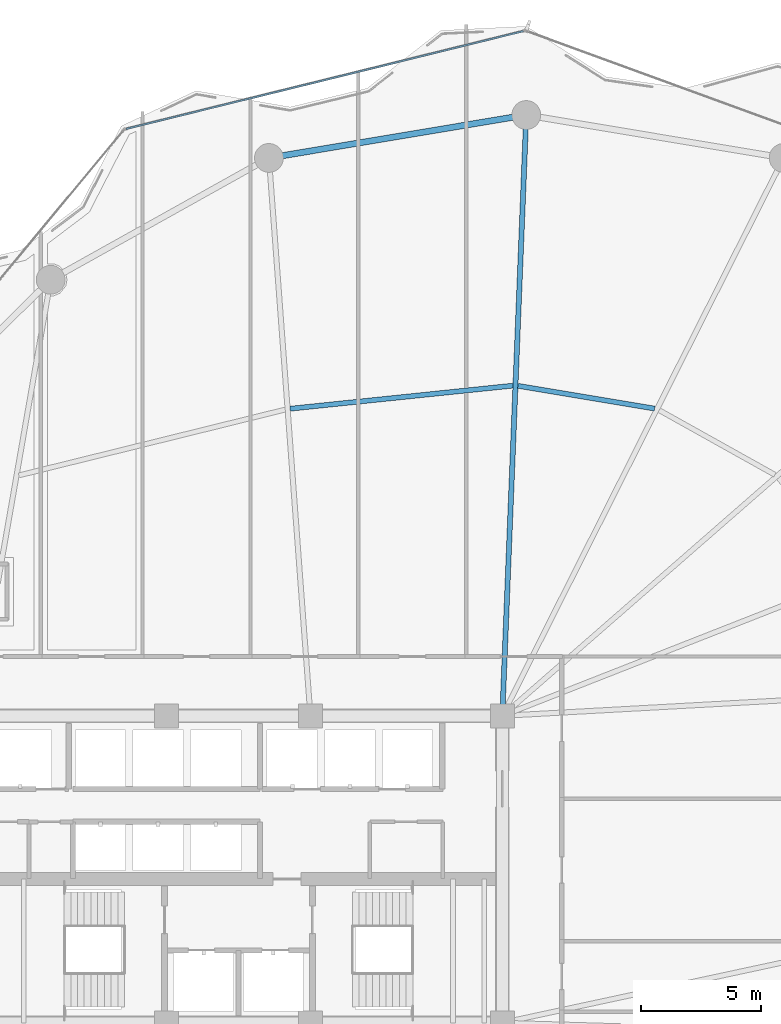
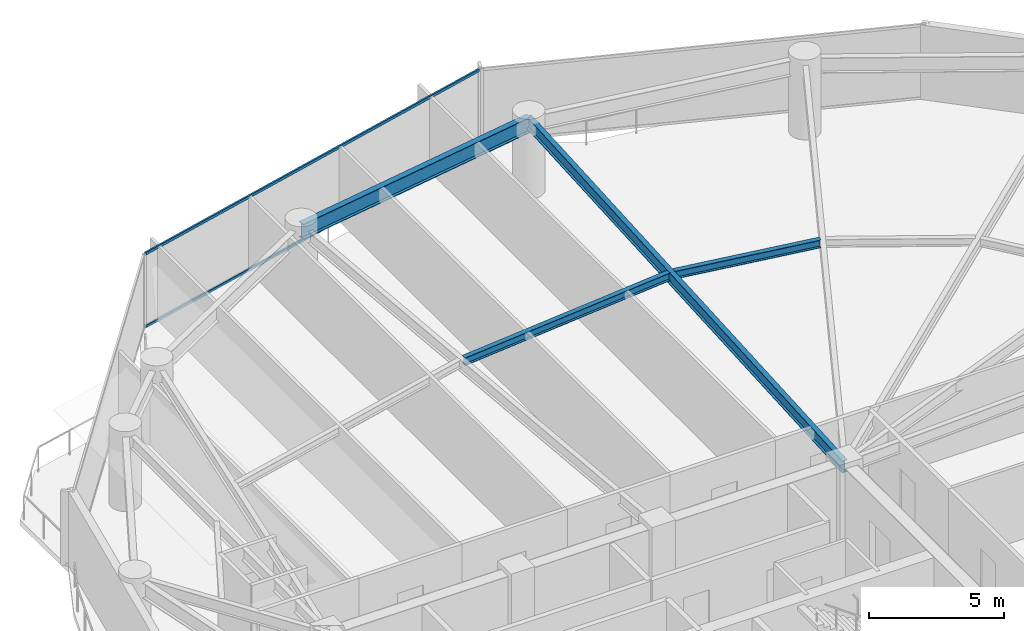
# One storey, part 18 of 28: 4 beams, 2 members, 1 element without a shape of its own.
"""IFC4 building model written with IfcOpenShell, lengths in metres."""

from ifc_helpers import new_model, si_unit, direction, frame, origin, origin_2d, place, context, subcontext, project, spatial, hollow_rectangle, i_section, extrude, material, layer, layer_set, material_profile, profile_set, type_object, element, aggregate, save


model = new_model("IFC4")

# Units and contexts
model_context = context("Model", 3, precision=1e-05, world=origin(), true_north=direction((0.0, 1.0)))
body_context = subcontext(model_context, "Body", "Model", "MODEL_VIEW")
ifc_project = project(units=[si_unit("LENGTHUNIT", "METRE"), si_unit("AREAUNIT", "SQUARE_METRE"), si_unit("VOLUMEUNIT", "CUBIC_METRE"), si_unit("PLANEANGLEUNIT", "RADIAN"), si_unit("MASSUNIT", "GRAM", prefix="KILO")], contexts=[model_context])

# Site, building, storey
site_placement = place(None, origin())
site = spatial("IfcSite", under=ifc_project, at=site_placement, CompositionType="ELEMENT")
building_placement = place(site_placement, origin())
building = spatial("IfcBuilding", under=site, at=building_placement, Name="Kazevale Care Tower and Concert Hall", CompositionType="ELEMENT")
storey_placement = place(building_placement, frame((0.0, 0.0, 102.60009765625)))
storey = spatial("IfcBuildingStorey", under=building, at=storey_placement, Name="L26", CompositionType="ELEMENT", Elevation=102.60009765625)

# Curtain wall, members
ifc_material_1 = material(Name="Aluminium 6063-T6 and Low-E Glass", Category="aluminium")
ifc_layer = layer(ifc_material_1, 0.179931640625)
ifc_layer_set = layer_set([ifc_layer], Name="Aluminium 6063-T6 and Low-E Glass")
curtain_wall_type = type_object("IfcCurtainWallType", Name="Convex Recessed Sunroom Curtain Wall CW-3", PredefinedType="NOTDEFINED", material=ifc_layer_set)
curtain_wall_placement = place(storey_placement, origin())
curtain_wall = element("IfcCurtainWall", 1, at=curtain_wall_placement, inside=storey, type_object=curtain_wall_type, Name="cw:L26:f15", PredefinedType="NOTDEFINED")
ifc_material_2 = material(Name="Aluminium 6063-T6", Category="aluminium")
ifc_material_profile_1 = material_profile(ifc_material_2, hollow_rectangle(XDim=0.074951171875, YDim=0.1201171875, WallThickness=0.00390625, at=origin_2d()), Name="ALU75x120x4")
ifc_profile_set_1 = profile_set([ifc_material_profile_1], Name="Aluminium 6063-T6")
member_type = type_object("IfcMemberType", Name="CW-3 Transom ALU75x120x4", PredefinedType="USERDEFINED", material=ifc_profile_set_1)
member_1_placement = place(storey_placement, frame((28.312744140625, 60.869873046875, 0.037353515625), z_axis=(0.970998321945, 0.239086299857, 0.0), x_axis=(-0.239086299857, 0.970998321945, 0.0)))
member_1 = element("IfcMember", 2, at=member_1_placement, type_object=member_type, Name="CW-3 transom 1.1", ObjectType="TRANSOM", PredefinedType="USERDEFINED", context=body_context, shape_type="SweptSolid", body=[
    extrude(hollow_rectangle(XDim=0.074951171875, YDim=0.1201171875, WallThickness=0.00390625, at=origin_2d()), origin(), (0.0, 0.0, 1.0), 17.061279296875),
])
member_2_placement = place(storey_placement, frame((28.312744140625, 60.869873046875, 3.322509765625), z_axis=(0.970998321945, 0.239086299857, 0.0), x_axis=(-0.239086299857, 0.970998321945, 0.0)))
member_2 = element("IfcMember", 3, at=member_2_placement, type_object=member_type, Name="CW-3 transom 1.2", ObjectType="TRANSOM", PredefinedType="USERDEFINED", context=body_context, shape_type="SweptSolid", body=[
    extrude(hollow_rectangle(XDim=0.074951171875, YDim=0.1201171875, WallThickness=0.00390625, at=origin_2d()), origin(), (0.0, 0.0, 1.0), 17.061279296875),
])
aggregate(curtain_wall, [member_1, member_2])

# Beams
ifc_material_3 = material(Name="Steel ASTM A572 Gr 50", Category="steel")
ifc_material_profile_2 = material_profile(ifc_material_3, i_section(OverallWidth=0.2119140625, OverallDepth=0.5439453125, WebThickness=0.01318359375, FlangeThickness=0.021240234375, at=origin_2d()), Name="W530x123")
ifc_profile_set_2 = profile_set([ifc_material_profile_2], Name="Steel ASTM A572 Gr 50")
beam_type_1 = type_object("IfcBeamType", Name="Radial Floor Girder W530x123", PredefinedType="BEAM", material=ifc_profile_set_2)
beam_1_placement = place(storey_placement, frame((44.0, 36.39990234375, 3.087890625), z_axis=(0.039888311255, 0.99920414462, 0.0), x_axis=(-0.99920414462, 0.039888311255, 0.0)))
element("IfcBeam", 4, at=beam_1_placement, inside=storey, type_object=beam_type_1, Name="beam:L26:rad:05", PredefinedType="BEAM", context=body_context, shape_type="SweptSolid", body=[
    extrude(i_section(OverallWidth=0.2119140625, OverallDepth=0.5439453125, WebThickness=0.01318359375, FlangeThickness=0.021240234375, at=origin_2d()), origin(), (0.0, 0.0, 1.0), 25.070068359375),
])
ifc_material_profile_3 = material_profile(ifc_material_3, i_section(OverallWidth=0.205078125, OverallDepth=0.35400390625, WebThickness=0.009521484375, FlangeThickness=0.016845703125, at=origin_2d()), Name="W360x79")
ifc_profile_set_3 = profile_set([ifc_material_profile_3], Name="Steel ASTM A572 Gr 50")
beam_type_2 = type_object("IfcBeamType", Name="Secondary Floor Joist W360x79", PredefinedType="JOIST", material=ifc_profile_set_3)
beam_2_placement = place(storey_placement, frame((50.347900390625, 49.2099609375, 3.182861328125), z_axis=(-0.986366476547, 0.164563586324, 0.0), x_axis=(-0.164563586324, -0.986366476547, 0.0)))
element("IfcBeam", 5, at=beam_2_placement, inside=storey, type_object=beam_type_2, Name="beam:L26:joist:04", PredefinedType="JOIST", context=body_context, shape_type="SweptSolid", body=[
    extrude(i_section(OverallWidth=0.205078125, OverallDepth=0.35400390625, WebThickness=0.009521484375, FlangeThickness=0.016845703125, at=origin_2d()), origin(), (0.0, 0.0, 1.0), 5.7724609375),
])
beam_3_placement = place(storey_placement, frame((44.446044921875, 50.1669921875, 3.182861328125), z_axis=(-0.994674810104, -0.10306319491, 0.0), x_axis=(0.10306319491, -0.994674810104, 0.0)))
element("IfcBeam", 6, at=beam_3_placement, inside=storey, type_object=beam_type_2, Name="beam:L26:joist:05", PredefinedType="JOIST", context=body_context, shape_type="SweptSolid", body=[
    extrude(i_section(OverallWidth=0.205078125, OverallDepth=0.35400390625, WebThickness=0.009521484375, FlangeThickness=0.016845703125, at=origin_2d()), origin(), (0.0, 0.0, 1.0), 9.3427734375),
])
ifc_material_profile_4 = material_profile(ifc_material_3, i_section(OverallWidth=0.256103515625, OverallDepth=0.693115234375, WebThickness=0.014404296875, FlangeThickness=0.023681640625, at=origin_2d()), Name="W690x170")
ifc_profile_set_4 = profile_set([ifc_material_profile_4], Name="Steel ASTM A572 Gr 50")
beam_type_3 = type_object("IfcBeamType", Name="Waist Ring Beam W690x170", PredefinedType="BEAM", material=ifc_profile_set_4)
beam_4_placement = place(storey_placement, frame((45.0, 61.449951171875, 3.013427734375), z_axis=(-0.986368436187, -0.164551840139, 0.0), x_axis=(0.164551840139, -0.986368436187, 0.0)))
element("IfcBeam", 7, at=beam_4_placement, inside=storey, type_object=beam_type_3, Name="beam:L26:ring:05", PredefinedType="BEAM", context=body_context, shape_type="SweptSolid", body=[
    extrude(i_section(OverallWidth=0.256103515625, OverallDepth=0.693115234375, WebThickness=0.014404296875, FlangeThickness=0.023681640625, at=origin_2d()), origin(), (0.0, 0.0, 1.0), 10.878173828125),
])

save(model, "model.ifc")
